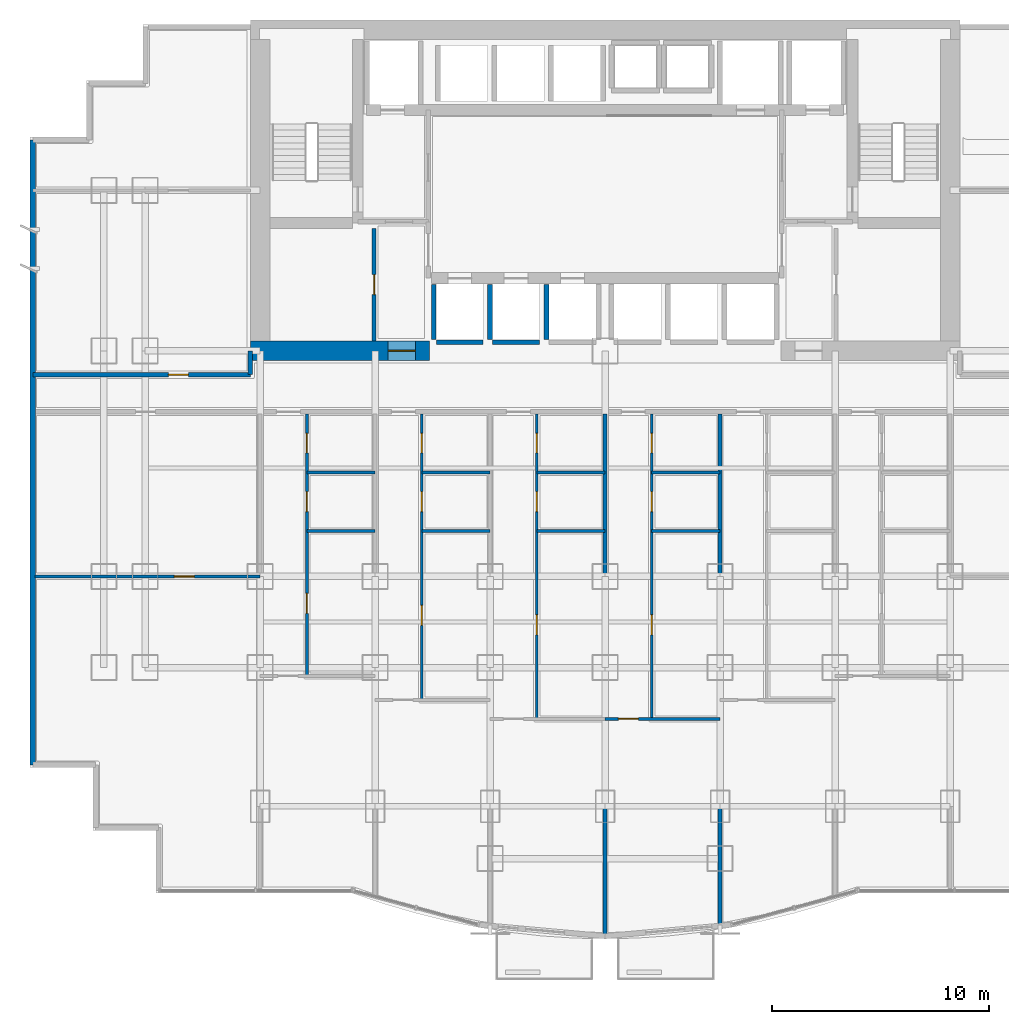
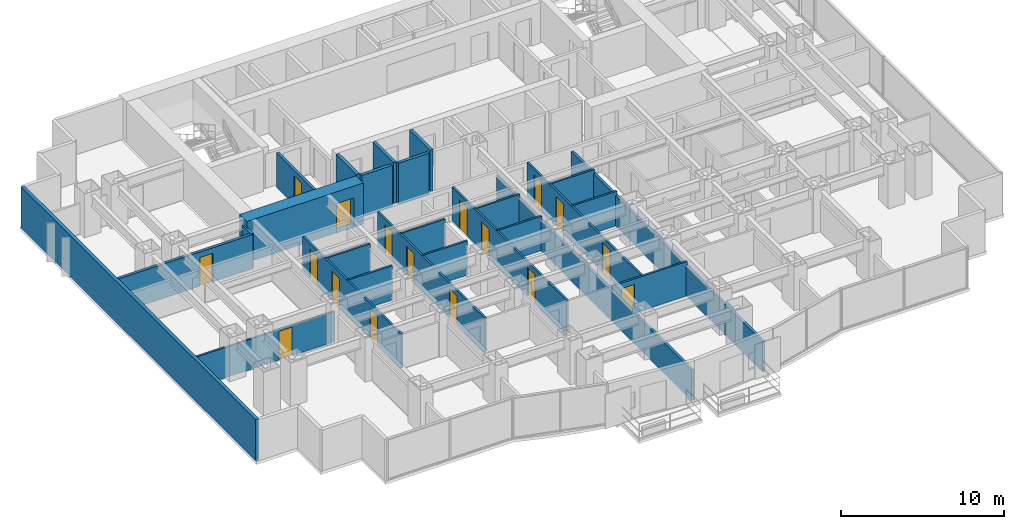
# One storey, part 7 of 12: 26 walls, 17 doors, 17 openings.
"""IFC4 building model written with IfcOpenShell, lengths in metres."""

from ifc_helpers import new_model, si_unit, direction, frame, frame_2d, origin, place, context, subcontext, project, spatial, rectangle, extrude, material, layer, layer_set, type_object, element, fill, save


model = new_model("IFC4")

# Units and contexts
model_context = context("Model", 3, precision=1e-05, world=origin(), true_north=direction((0.0, 1.0)))
body_context = subcontext(model_context, "Body", "Model", "MODEL_VIEW")
ifc_project = project(units=[si_unit("LENGTHUNIT", "METRE"), si_unit("AREAUNIT", "SQUARE_METRE"), si_unit("VOLUMEUNIT", "CUBIC_METRE"), si_unit("PLANEANGLEUNIT", "RADIAN"), si_unit("MASSUNIT", "GRAM", prefix="KILO")], contexts=[model_context])

# Site, building, storey
site_placement = place(None, origin())
site = spatial("IfcSite", under=ifc_project, at=site_placement, CompositionType="ELEMENT")
building_placement = place(site_placement, origin())
building = spatial("IfcBuilding", under=site, at=building_placement, Name="Qianlan Lanfeng Residences", CompositionType="ELEMENT")
storey_placement = place(building_placement, frame((0.0, 0.0, 27.5)))
storey = spatial("IfcBuildingStorey", under=building, at=storey_placement, Name="L06", CompositionType="ELEMENT", Elevation=27.5)

# Wall, opening, door
ifc_material_1 = material(Name="Concrete C70", Category="concrete")
ifc_layer_1 = layer(ifc_material_1, 0.89990234375)
ifc_layer_set_1 = layer_set([ifc_layer_1], Name="Concrete C70")
wall_type_1 = type_object("IfcWallType", Name="CW-RC-900", PredefinedType="SHEAR", material=ifc_layer_set_1)
wall_1_placement = place(storey_placement, frame((10.14990234375, 25.199951171875, 0.0), z_axis=(0.0, 0.0, 1.0), x_axis=(1.0, 0.0, 0.0)))
wall_1 = element("IfcWall", 1, at=wall_1_placement, inside=storey, type_object=wall_type_1, Name="L06 Core Shear Wall SW", PredefinedType="SHEAR", context=body_context, shape_type="SweptSolid", body=[
    extrude(rectangle(XDim=8.25, YDim=0.89990234375, at=frame_2d((4.125, 0.0))), origin(), (0.0, 0.0, 1.0), 3.080078125),
])
opening_1_placement = place(wall_1_placement, frame((6.35009765625, 0.0, 0.0)))
opening_1 = element("IfcOpeningElement", 2, at=opening_1_placement, cuts=wall_1, Name="Opening L06-D01", PredefinedType="OPENING", context=body_context, shape_type="SweptSolid", body=[
    extrude(rectangle(XDim=1.25, YDim=2.199951171875, at=frame_2d((0.625, 1.10009765625))), frame((0.0, 0.4599609375, 0.0), z_axis=(0.0, -1.0, 0.0), x_axis=(1.0, 0.0, 0.0)), (0.0, 0.0, 1.0), 0.919921875),
])
ifc_material_2 = material(Name="Painted Galvanised Steel Fire Door", Category="steel")
door_type_1 = type_object("IfcDoorType", Name="DT-FFL", OperationType="NOTDEFINED", PredefinedType="DOOR", material=ifc_material_2)
door_1_placement = place(opening_1_placement, frame((1.25, 0.0, 0.0), z_axis=(0.0, 0.0, 1.0), x_axis=(-1.0, 0.0, 0.0)))
door_1 = element("IfcDoor", 3, at=door_1_placement, inside=storey, type_object=door_type_1, Name="L06 West Core Lobby Smoke Door L06-D01 (DT-FFL)", OperationType="SINGLE_SWING_RIGHT", OverallHeight=2.199951171875, OverallWidth=1.25, PredefinedType="DOOR", context=body_context, shape_type="SweptSolid", body=[
    extrude(rectangle(XDim=1.25, YDim=2.199951171875, at=frame_2d((0.625, 1.10009765625))), frame((0.0, 0.02490234375, 0.0), z_axis=(0.0, -1.0, 0.0), x_axis=(1.0, 0.0, 0.0)), (0.0, 0.0, 1.0), 0.050048828125),
])
fill(opening_1, door_1)

# Wall
ifc_material_3 = material(Name="Concrete C42", Category="concrete")
ifc_layer_2 = layer(ifc_material_3, 0.239990234375)
ifc_layer_set_2 = layer_set([ifc_layer_2], Name="Concrete C42")
wall_type_2 = type_object("IfcWallType", Name="EW-240", PredefinedType="SOLIDWALL", material=ifc_layer_set_2)
wall_2_placement = place(storey_placement, frame((0.1201171875, 34.929931640625, 0.0), z_axis=(0.0, 0.0, 1.0), x_axis=(0.0, -1.0, 0.0)))
element("IfcWall", 4, at=wall_2_placement, inside=storey, type_object=wall_type_2, Name="L06 Exterior Facade Spandrel Wall 21", PredefinedType="SOLIDWALL", context=body_context, shape_type="SweptSolid", body=[
    extrude(rectangle(XDim=28.809814453125, YDim=0.239990234375, at=frame_2d((14.40478515625, 0.0))), origin(), (0.0, 0.0, 1.0), 3.080078125),
])

# Wall, openings, doors
ifc_material_4 = material(Name="Moisture-Resistant Gypsum Partition 135 mm")
ifc_layer_3 = layer(ifc_material_4, 0.135009765625)
ifc_layer_set_3 = layer_set([ifc_layer_3], Name="Moisture-Resistant Gypsum Partition 135 mm")
wall_type_3 = type_object("IfcWallType", Name="PW-135", PredefinedType="PARTITIONING", material=ifc_layer_set_3)
wall_3_placement = place(storey_placement, frame((12.75, 10.219970703125, 0.0), z_axis=(0.0, 0.0, 1.0), x_axis=(0.0, 1.0, 0.0)))
wall_3 = element("IfcWall", 5, at=wall_3_placement, inside=storey, type_object=wall_type_3, Name="L06 U01 Entry Hall Spine", PredefinedType="PARTITIONING", context=body_context, shape_type="SweptSolid", body=[
    extrude(rectangle(XDim=12.080078125, YDim=0.135009765625, at=frame_2d((6.0400390625, 0.0))), origin(), (0.0, 0.0, 1.0), 2.570068359375),
])
opening_2_placement = place(wall_3_placement, frame((2.8798828125, 0.0, 0.0)))
opening_2 = element("IfcOpeningElement", 6, at=opening_2_placement, cuts=wall_3, Name="Opening L06-D15", PredefinedType="OPENING", context=body_context, shape_type="SweptSolid", body=[
    extrude(rectangle(XDim=0.919921875, YDim=2.14990234375, at=frame_2d((0.4599609375, 1.074951171875))), frame((0.0, 0.07763671875, 0.0), z_axis=(0.0, -1.0, 0.0), x_axis=(1.0, 0.0, 0.0)), (0.0, 0.0, 1.0), 0.155029296875),
])
opening_3_placement = place(wall_3_placement, frame((7.570068359375, 0.0, 0.0)))
opening_3 = element("IfcOpeningElement", 7, at=opening_3_placement, cuts=wall_3, Name="Opening L06-D16", PredefinedType="OPENING", context=body_context, shape_type="SweptSolid", body=[
    extrude(rectangle(XDim=0.919921875, YDim=2.14990234375, at=frame_2d((0.4599609375, 1.074951171875))), frame((0.0, 0.07763671875, 0.0), z_axis=(0.0, -1.0, 0.0), x_axis=(1.0, 0.0, 0.0)), (0.0, 0.0, 1.0), 0.155029296875),
])
opening_4_placement = place(wall_3_placement, frame((10.280029296875, 0.0, 0.0)))
opening_4 = element("IfcOpeningElement", 8, at=opening_4_placement, cuts=wall_3, Name="Opening L06-D17", PredefinedType="OPENING", context=body_context, shape_type="SweptSolid", body=[
    extrude(rectangle(XDim=0.89990234375, YDim=2.14990234375, at=frame_2d((0.449951171875, 1.074951171875))), frame((0.0, 0.07763671875, 0.0), z_axis=(0.0, -1.0, 0.0), x_axis=(1.0, 0.0, 0.0)), (0.0, 0.0, 1.0), 0.155029296875),
])
ifc_material_5 = material(Name="Glazed Timber Kitchen/Study Door", Category="wood")
door_type_2 = type_object("IfcDoorType", Name="DT-INT", OperationType="NOTDEFINED", PredefinedType="DOOR", material=ifc_material_5)
door_2_placement = place(opening_2_placement, origin())
door_2 = element("IfcDoor", 9, at=door_2_placement, inside=storey, type_object=door_type_2, Name="L06 U01 Study Door L06-D15 (DT-INT)", OperationType="SINGLE_SWING_RIGHT", OverallHeight=2.14990234375, OverallWidth=0.919921875, PredefinedType="DOOR", context=body_context, shape_type="SweptSolid", body=[
    extrude(rectangle(XDim=0.919921875, YDim=2.14990234375, at=frame_2d((0.4599609375, 1.074951171875))), frame((0.0, 0.02490234375, 0.0), z_axis=(0.0, -1.0, 0.0), x_axis=(1.0, 0.0, 0.0)), (0.0, 0.0, 1.0), 0.050048828125),
])
fill(opening_2, door_2)
door_3_placement = place(opening_3_placement, origin())
door_3 = element("IfcDoor", 10, at=door_3_placement, inside=storey, type_object=door_type_2, Name="L06 U01 Kitchen Door L06-D16 (DT-INT)", OperationType="SINGLE_SWING_LEFT", OverallHeight=2.14990234375, OverallWidth=0.919921875, PredefinedType="DOOR", context=body_context, shape_type="SweptSolid", body=[
    extrude(rectangle(XDim=0.919921875, YDim=2.14990234375, at=frame_2d((0.4599609375, 1.074951171875))), frame((0.0, 0.02490234375, 0.0), z_axis=(0.0, -1.0, 0.0), x_axis=(1.0, 0.0, 0.0)), (0.0, 0.0, 1.0), 0.050048828125),
])
fill(opening_3, door_3)
ifc_material_6 = material(Name="Moisture-Resistant Timber Leaf", Category="wood")
door_type_3 = type_object("IfcDoorType", Name="DT-WC", OperationType="NOTDEFINED", PredefinedType="DOOR", material=ifc_material_6)
door_4_placement = place(opening_4_placement, origin())
door_4 = element("IfcDoor", 11, at=door_4_placement, inside=storey, type_object=door_type_3, Name="L06 U01 Bathroom Door L06-D17 (DT-WC)", OperationType="SINGLE_SWING_RIGHT", OverallHeight=2.14990234375, OverallWidth=0.89990234375, PredefinedType="DOOR", context=body_context, shape_type="SweptSolid", body=[
    extrude(rectangle(XDim=0.89990234375, YDim=2.14990234375, at=frame_2d((0.449951171875, 1.074951171875))), frame((0.0, 0.02490234375, 0.0), z_axis=(0.0, -1.0, 0.0), x_axis=(1.0, 0.0, 0.0)), (0.0, 0.0, 1.0), 0.050048828125),
])
fill(opening_4, door_4)

# Walls
for number, where, z_axis, x_axis, name in (
    (12, (12.75, 16.89990234375, 0.0), (0.0, 0.0, 1.0), (1.0, 0.0, 0.0), "L06 U01 Kitchen South Wall"),
    (13, (12.75, 19.60009765625, 0.0), (0.0, 0.0, 1.0), (1.0, 0.0, 0.0), "L06 U01 Bathroom South Wall"),
):
    element("IfcWall", number, at=place(storey_placement, frame(where, z_axis=z_axis, x_axis=x_axis)), inside=storey, type_object=wall_type_3, Name=name, PredefinedType="PARTITIONING", context=body_context, shape_type="SweptSolid", body=[
        extrude(rectangle(XDim=3.14990234375, YDim=0.135009765625, at=frame_2d((1.574951171875, 0.0))), origin(), (0.0, 0.0, 1.0), 2.570068359375),
    ])

# Wall, openings, doors
wall_4_placement = place(storey_placement, frame((18.050048828125, 9.112060546875, 0.0), z_axis=(0.0, 0.0, 1.0), x_axis=(0.0, 1.0, 0.0)))
wall_4 = element("IfcWall", 14, at=wall_4_placement, inside=storey, type_object=wall_type_3, Name="L06 U02 Entry Hall Spine", PredefinedType="PARTITIONING", context=body_context, shape_type="SweptSolid", body=[
    extrude(rectangle(XDim=13.18798828125, YDim=0.135009765625, at=frame_2d((6.593994140625, 0.0))), origin(), (0.0, 0.0, 1.0), 2.570068359375),
])
opening_5_placement = place(wall_4_placement, frame((3.43408203125, 0.0, 0.0)))
opening_5 = element("IfcOpeningElement", 15, at=opening_5_placement, cuts=wall_4, Name="Opening L06-D20", PredefinedType="OPENING", context=body_context, shape_type="SweptSolid", body=[
    extrude(rectangle(XDim=0.919921875, YDim=2.14990234375, at=frame_2d((0.4599609375, 1.074951171875))), frame((0.0, 0.07763671875, 0.0), z_axis=(0.0, -1.0, 0.0), x_axis=(1.0, 0.0, 0.0)), (0.0, 0.0, 1.0), 0.155029296875),
])
opening_6_placement = place(wall_4_placement, frame((8.677978515625, 0.0, 0.0)))
opening_6 = element("IfcOpeningElement", 16, at=opening_6_placement, cuts=wall_4, Name="Opening L06-D21", PredefinedType="OPENING", context=body_context, shape_type="SweptSolid", body=[
    extrude(rectangle(XDim=0.919921875, YDim=2.14990234375, at=frame_2d((0.4599609375, 1.074951171875))), frame((0.0, 0.07763671875, 0.0), z_axis=(0.0, -1.0, 0.0), x_axis=(1.0, 0.0, 0.0)), (0.0, 0.0, 1.0), 0.155029296875),
])
opening_7_placement = place(wall_4_placement, frame((11.387939453125, 0.0, 0.0)))
opening_7 = element("IfcOpeningElement", 17, at=opening_7_placement, cuts=wall_4, Name="Opening L06-D22", PredefinedType="OPENING", context=body_context, shape_type="SweptSolid", body=[
    extrude(rectangle(XDim=0.89990234375, YDim=2.14990234375, at=frame_2d((0.449951171875, 1.074951171875))), frame((0.0, 0.07763671875, 0.0), z_axis=(0.0, -1.0, 0.0), x_axis=(1.0, 0.0, 0.0)), (0.0, 0.0, 1.0), 0.155029296875),
])
door_5_placement = place(opening_5_placement, origin())
door_5 = element("IfcDoor", 18, at=door_5_placement, inside=storey, type_object=door_type_2, Name="L06 U02 Study Door L06-D20 (DT-INT)", OperationType="SINGLE_SWING_LEFT", OverallHeight=2.14990234375, OverallWidth=0.919921875, PredefinedType="DOOR", context=body_context, shape_type="SweptSolid", body=[
    extrude(rectangle(XDim=0.919921875, YDim=2.14990234375, at=frame_2d((0.4599609375, 1.074951171875))), frame((0.0, 0.02490234375, 0.0), z_axis=(0.0, -1.0, 0.0), x_axis=(1.0, 0.0, 0.0)), (0.0, 0.0, 1.0), 0.050048828125),
])
fill(opening_5, door_5)
door_6_placement = place(opening_6_placement, origin())
door_6 = element("IfcDoor", 19, at=door_6_placement, inside=storey, type_object=door_type_2, Name="L06 U02 Kitchen Door L06-D21 (DT-INT)", OperationType="SINGLE_SWING_RIGHT", OverallHeight=2.14990234375, OverallWidth=0.919921875, PredefinedType="DOOR", context=body_context, shape_type="SweptSolid", body=[
    extrude(rectangle(XDim=0.919921875, YDim=2.14990234375, at=frame_2d((0.4599609375, 1.074951171875))), frame((0.0, 0.02490234375, 0.0), z_axis=(0.0, -1.0, 0.0), x_axis=(1.0, 0.0, 0.0)), (0.0, 0.0, 1.0), 0.050048828125),
])
fill(opening_6, door_6)
door_7_placement = place(opening_7_placement, origin())
door_7 = element("IfcDoor", 20, at=door_7_placement, inside=storey, type_object=door_type_3, Name="L06 U02 Bathroom Door L06-D22 (DT-WC)", OperationType="SINGLE_SWING_LEFT", OverallHeight=2.14990234375, OverallWidth=0.89990234375, PredefinedType="DOOR", context=body_context, shape_type="SweptSolid", body=[
    extrude(rectangle(XDim=0.89990234375, YDim=2.14990234375, at=frame_2d((0.449951171875, 1.074951171875))), frame((0.0, 0.02490234375, 0.0), z_axis=(0.0, -1.0, 0.0), x_axis=(1.0, 0.0, 0.0)), (0.0, 0.0, 1.0), 0.050048828125),
])
fill(opening_7, door_7)

# Walls
for number, where, z_axis, x_axis, name in (
    (21, (18.050048828125, 16.89990234375, 0.0), (0.0, 0.0, 1.0), (1.0, 0.0, 0.0), "L06 U02 Kitchen South Wall"),
    (22, (18.050048828125, 19.60009765625, 0.0), (0.0, 0.0, 1.0), (1.0, 0.0, 0.0), "L06 U02 Bathroom South Wall"),
):
    element("IfcWall", number, at=place(storey_placement, frame(where, z_axis=z_axis, x_axis=x_axis)), inside=storey, type_object=wall_type_3, Name=name, PredefinedType="PARTITIONING", context=body_context, shape_type="SweptSolid", body=[
        extrude(rectangle(XDim=3.14990234375, YDim=0.135009765625, at=frame_2d((1.574951171875, 0.0))), origin(), (0.0, 0.0, 1.0), 2.570068359375),
    ])

# Wall, openings, doors
wall_5_placement = place(storey_placement, frame((23.35009765625, 8.23388671875, 0.0), z_axis=(0.0, 0.0, 1.0), x_axis=(0.0, 1.0, 0.0)))
wall_5 = element("IfcWall", 23, at=wall_5_placement, inside=storey, type_object=wall_type_3, Name="L06 U03 Entry Hall Spine", PredefinedType="PARTITIONING", context=body_context, shape_type="SweptSolid", body=[
    extrude(rectangle(XDim=14.066162109375, YDim=0.135009765625, at=frame_2d((7.033203125, 0.0))), origin(), (0.0, 0.0, 1.0), 2.570068359375),
])
opening_8_placement = place(wall_5_placement, frame((3.873046875, 0.0, 0.0)))
opening_8 = element("IfcOpeningElement", 24, at=opening_8_placement, cuts=wall_5, Name="Opening L06-D25", PredefinedType="OPENING", context=body_context, shape_type="SweptSolid", body=[
    extrude(rectangle(XDim=0.919921875, YDim=2.14990234375, at=frame_2d((0.4599609375, 1.074951171875))), frame((0.0, 0.07763671875, 0.0), z_axis=(0.0, -1.0, 0.0), x_axis=(1.0, 0.0, 0.0)), (0.0, 0.0, 1.0), 0.155029296875),
])
opening_9_placement = place(wall_5_placement, frame((9.555908203125, 0.0, 0.0)))
opening_9 = element("IfcOpeningElement", 25, at=opening_9_placement, cuts=wall_5, Name="Opening L06-D26", PredefinedType="OPENING", context=body_context, shape_type="SweptSolid", body=[
    extrude(rectangle(XDim=0.919921875, YDim=2.14990234375, at=frame_2d((0.4599609375, 1.074951171875))), frame((0.0, 0.07763671875, 0.0), z_axis=(0.0, -1.0, 0.0), x_axis=(1.0, 0.0, 0.0)), (0.0, 0.0, 1.0), 0.155029296875),
])
opening_10_placement = place(wall_5_placement, frame((12.26611328125, 0.0, 0.0)))
opening_10 = element("IfcOpeningElement", 26, at=opening_10_placement, cuts=wall_5, Name="Opening L06-D27", PredefinedType="OPENING", context=body_context, shape_type="SweptSolid", body=[
    extrude(rectangle(XDim=0.89990234375, YDim=2.14990234375, at=frame_2d((0.449951171875, 1.074951171875))), frame((0.0, 0.07763671875, 0.0), z_axis=(0.0, -1.0, 0.0), x_axis=(1.0, 0.0, 0.0)), (0.0, 0.0, 1.0), 0.155029296875),
])
door_8_placement = place(opening_8_placement, origin())
door_8 = element("IfcDoor", 27, at=door_8_placement, inside=storey, type_object=door_type_2, Name="L06 U03 Study Door L06-D25 (DT-INT)", OperationType="SINGLE_SWING_RIGHT", OverallHeight=2.14990234375, OverallWidth=0.919921875, PredefinedType="DOOR", context=body_context, shape_type="SweptSolid", body=[
    extrude(rectangle(XDim=0.919921875, YDim=2.14990234375, at=frame_2d((0.4599609375, 1.074951171875))), frame((0.0, 0.02490234375, 0.0), z_axis=(0.0, -1.0, 0.0), x_axis=(1.0, 0.0, 0.0)), (0.0, 0.0, 1.0), 0.050048828125),
])
fill(opening_8, door_8)
door_9_placement = place(opening_9_placement, origin())
door_9 = element("IfcDoor", 28, at=door_9_placement, inside=storey, type_object=door_type_2, Name="L06 U03 Kitchen Door L06-D26 (DT-INT)", OperationType="SINGLE_SWING_LEFT", OverallHeight=2.14990234375, OverallWidth=0.919921875, PredefinedType="DOOR", context=body_context, shape_type="SweptSolid", body=[
    extrude(rectangle(XDim=0.919921875, YDim=2.14990234375, at=frame_2d((0.4599609375, 1.074951171875))), frame((0.0, 0.02490234375, 0.0), z_axis=(0.0, -1.0, 0.0), x_axis=(1.0, 0.0, 0.0)), (0.0, 0.0, 1.0), 0.050048828125),
])
fill(opening_9, door_9)
door_10_placement = place(opening_10_placement, origin())
door_10 = element("IfcDoor", 29, at=door_10_placement, inside=storey, type_object=door_type_3, Name="L06 U03 Bathroom Door L06-D27 (DT-WC)", OperationType="SINGLE_SWING_RIGHT", OverallHeight=2.14990234375, OverallWidth=0.89990234375, PredefinedType="DOOR", context=body_context, shape_type="SweptSolid", body=[
    extrude(rectangle(XDim=0.89990234375, YDim=2.14990234375, at=frame_2d((0.449951171875, 1.074951171875))), frame((0.0, 0.02490234375, 0.0), z_axis=(0.0, -1.0, 0.0), x_axis=(1.0, 0.0, 0.0)), (0.0, 0.0, 1.0), 0.050048828125),
])
fill(opening_10, door_10)

# Walls
for number, where, z_axis, x_axis, name in (
    (30, (23.35009765625, 16.89990234375, 0.0), (0.0, 0.0, 1.0), (1.0, 0.0, 0.0), "L06 U03 Kitchen South Wall"),
    (31, (23.35009765625, 19.60009765625, 0.0), (0.0, 0.0, 1.0), (1.0, 0.0, 0.0), "L06 U03 Bathroom South Wall"),
):
    element("IfcWall", number, at=place(storey_placement, frame(where, z_axis=z_axis, x_axis=x_axis)), inside=storey, type_object=wall_type_3, Name=name, PredefinedType="PARTITIONING", context=body_context, shape_type="SweptSolid", body=[
        extrude(rectangle(XDim=3.14990234375, YDim=0.135009765625, at=frame_2d((1.574951171875, 0.0))), origin(), (0.0, 0.0, 1.0), 2.570068359375),
    ])

# Wall, opening, door
wall_6_placement = place(storey_placement, frame((26.5, 8.23388671875, 0.0), z_axis=(0.0, 0.0, 1.0), x_axis=(1.0, 0.0, 0.0)))
wall_6 = element("IfcWall", 32, at=wall_6_placement, inside=storey, type_object=wall_type_3, Name="L06 U04 Living Divider", PredefinedType="PARTITIONING", context=body_context, shape_type="SweptSolid", body=[
    extrude(rectangle(XDim=5.300048828125, YDim=0.135009765625, at=frame_2d((2.64990234375, 0.0))), origin(), (0.0, 0.0, 1.0), 2.570068359375),
])
opening_11_placement = place(wall_6_placement, frame((0.614990234375, 0.0, 0.0)))
opening_11 = element("IfcOpeningElement", 33, at=opening_11_placement, cuts=wall_6, Name="Opening L06-D29", PredefinedType="OPENING", context=body_context, shape_type="SweptSolid", body=[
    extrude(rectangle(XDim=0.919921875, YDim=2.14990234375, at=frame_2d((0.4599609375, 1.074951171875))), frame((0.0, 0.07763671875, 0.0), z_axis=(0.0, -1.0, 0.0), x_axis=(1.0, 0.0, 0.0)), (0.0, 0.0, 1.0), 0.155029296875),
])
door_11_placement = place(opening_11_placement, frame((0.919921875, 0.0, 0.0), z_axis=(0.0, 0.0, 1.0), x_axis=(-1.0, 0.0, 0.0)))
door_11 = element("IfcDoor", 34, at=door_11_placement, inside=storey, type_object=door_type_2, Name="L06 U04 Living Passage Door L06-D29 (DT-INT)", OperationType="SINGLE_SWING_RIGHT", OverallHeight=2.14990234375, OverallWidth=0.919921875, PredefinedType="DOOR", context=body_context, shape_type="SweptSolid", body=[
    extrude(rectangle(XDim=0.919921875, YDim=2.14990234375, at=frame_2d((0.4599609375, 1.074951171875))), frame((0.0, 0.02490234375, 0.0), z_axis=(0.0, -1.0, 0.0), x_axis=(1.0, 0.0, 0.0)), (0.0, 0.0, 1.0), 0.050048828125),
])
fill(opening_11, door_11)

# Wall, openings, doors
wall_7_placement = place(storey_placement, frame((28.64990234375, 8.23388671875, 0.0), z_axis=(0.0, 0.0, 1.0), x_axis=(0.0, 1.0, 0.0)))
wall_7 = element("IfcWall", 35, at=wall_7_placement, inside=storey, type_object=wall_type_3, Name="L06 U04 Entry Hall Spine", PredefinedType="PARTITIONING", context=body_context, shape_type="SweptSolid", body=[
    extrude(rectangle(XDim=14.066162109375, YDim=0.135009765625, at=frame_2d((7.033203125, 0.0))), origin(), (0.0, 0.0, 1.0), 2.570068359375),
])
opening_12_placement = place(wall_7_placement, frame((3.873046875, 0.0, 0.0)))
opening_12 = element("IfcOpeningElement", 36, at=opening_12_placement, cuts=wall_7, Name="Opening L06-D30", PredefinedType="OPENING", context=body_context, shape_type="SweptSolid", body=[
    extrude(rectangle(XDim=0.919921875, YDim=2.14990234375, at=frame_2d((0.4599609375, 1.074951171875))), frame((0.0, 0.07763671875, 0.0), z_axis=(0.0, -1.0, 0.0), x_axis=(1.0, 0.0, 0.0)), (0.0, 0.0, 1.0), 0.155029296875),
])
opening_13_placement = place(wall_7_placement, frame((9.555908203125, 0.0, 0.0)))
opening_13 = element("IfcOpeningElement", 37, at=opening_13_placement, cuts=wall_7, Name="Opening L06-D31", PredefinedType="OPENING", context=body_context, shape_type="SweptSolid", body=[
    extrude(rectangle(XDim=0.919921875, YDim=2.14990234375, at=frame_2d((0.4599609375, 1.074951171875))), frame((0.0, 0.07763671875, 0.0), z_axis=(0.0, -1.0, 0.0), x_axis=(1.0, 0.0, 0.0)), (0.0, 0.0, 1.0), 0.155029296875),
])
opening_14_placement = place(wall_7_placement, frame((12.26611328125, 0.0, 0.0)))
opening_14 = element("IfcOpeningElement", 38, at=opening_14_placement, cuts=wall_7, Name="Opening L06-D32", PredefinedType="OPENING", context=body_context, shape_type="SweptSolid", body=[
    extrude(rectangle(XDim=0.89990234375, YDim=2.14990234375, at=frame_2d((0.449951171875, 1.074951171875))), frame((0.0, 0.07763671875, 0.0), z_axis=(0.0, -1.0, 0.0), x_axis=(1.0, 0.0, 0.0)), (0.0, 0.0, 1.0), 0.155029296875),
])
door_12_placement = place(opening_12_placement, origin())
door_12 = element("IfcDoor", 39, at=door_12_placement, inside=storey, type_object=door_type_2, Name="L06 U04 Study Door L06-D30 (DT-INT)", OperationType="SINGLE_SWING_LEFT", OverallHeight=2.14990234375, OverallWidth=0.919921875, PredefinedType="DOOR", context=body_context, shape_type="SweptSolid", body=[
    extrude(rectangle(XDim=0.919921875, YDim=2.14990234375, at=frame_2d((0.4599609375, 1.074951171875))), frame((0.0, 0.02490234375, 0.0), z_axis=(0.0, -1.0, 0.0), x_axis=(1.0, 0.0, 0.0)), (0.0, 0.0, 1.0), 0.050048828125),
])
fill(opening_12, door_12)
door_13_placement = place(opening_13_placement, origin())
door_13 = element("IfcDoor", 40, at=door_13_placement, inside=storey, type_object=door_type_2, Name="L06 U04 Kitchen Door L06-D31 (DT-INT)", OperationType="SINGLE_SWING_RIGHT", OverallHeight=2.14990234375, OverallWidth=0.919921875, PredefinedType="DOOR", context=body_context, shape_type="SweptSolid", body=[
    extrude(rectangle(XDim=0.919921875, YDim=2.14990234375, at=frame_2d((0.4599609375, 1.074951171875))), frame((0.0, 0.02490234375, 0.0), z_axis=(0.0, -1.0, 0.0), x_axis=(1.0, 0.0, 0.0)), (0.0, 0.0, 1.0), 0.050048828125),
])
fill(opening_13, door_13)
door_14_placement = place(opening_14_placement, origin())
door_14 = element("IfcDoor", 41, at=door_14_placement, inside=storey, type_object=door_type_3, Name="L06 U04 Bathroom Door L06-D32 (DT-WC)", OperationType="SINGLE_SWING_LEFT", OverallHeight=2.14990234375, OverallWidth=0.89990234375, PredefinedType="DOOR", context=body_context, shape_type="SweptSolid", body=[
    extrude(rectangle(XDim=0.89990234375, YDim=2.14990234375, at=frame_2d((0.449951171875, 1.074951171875))), frame((0.0, 0.02490234375, 0.0), z_axis=(0.0, -1.0, 0.0), x_axis=(1.0, 0.0, 0.0)), (0.0, 0.0, 1.0), 0.050048828125),
])
fill(opening_14, door_14)

# Walls
for number, where, z_axis, x_axis, name in (
    (42, (28.64990234375, 16.89990234375, 0.0), (0.0, 0.0, 1.0), (1.0, 0.0, 0.0), "L06 U04 Kitchen South Wall"),
    (43, (28.64990234375, 19.60009765625, 0.0), (0.0, 0.0, 1.0), (1.0, 0.0, 0.0), "L06 U04 Bathroom South Wall"),
):
    element("IfcWall", number, at=place(storey_placement, frame(where, z_axis=z_axis, x_axis=x_axis)), inside=storey, type_object=wall_type_3, Name=name, PredefinedType="PARTITIONING", context=body_context, shape_type="SweptSolid", body=[
        extrude(rectangle(XDim=3.150146484375, YDim=0.135009765625, at=frame_2d((1.5751953125, 0.0))), origin(), (0.0, 0.0, 1.0), 2.570068359375),
    ])

# Wall, opening, door
wall_8_placement = place(storey_placement, frame((0.219970703125, 14.800048828125, 0.0), z_axis=(0.0, 0.0, 1.0), x_axis=(1.0, 0.0, 0.0)))
wall_8 = element("IfcWall", 44, at=wall_8_placement, inside=storey, type_object=wall_type_3, Name="L06 SWP Mid Partition", PredefinedType="PARTITIONING", context=body_context, shape_type="SweptSolid", body=[
    extrude(rectangle(XDim=10.380126953125, YDim=0.135009765625, at=frame_2d((5.18994140625, 0.0))), origin(), (0.0, 0.0, 1.0), 2.27490234375),
])
opening_15_placement = place(wall_8_placement, frame((6.429931640625, 0.0, 0.0)))
opening_15 = element("IfcOpeningElement", 45, at=opening_15_placement, cuts=wall_8, Name="Opening L06-D43", PredefinedType="OPENING", context=body_context, shape_type="SweptSolid", body=[
    extrude(rectangle(XDim=0.919921875, YDim=2.14990234375, at=frame_2d((0.4599609375, 1.074951171875))), frame((0.0, 0.07763671875, 0.0), z_axis=(0.0, -1.0, 0.0), x_axis=(1.0, 0.0, 0.0)), (0.0, 0.0, 1.0), 0.155029296875),
])
door_15_placement = place(opening_15_placement, origin())
door_15 = element("IfcDoor", 46, at=door_15_placement, inside=storey, type_object=door_type_2, Name="L06 SWP Inner Door L06-D43 (DT-INT)", OperationType="SINGLE_SWING_RIGHT", OverallHeight=2.14990234375, OverallWidth=0.919921875, PredefinedType="DOOR", context=body_context, shape_type="SweptSolid", body=[
    extrude(rectangle(XDim=0.919921875, YDim=2.14990234375, at=frame_2d((0.4599609375, 1.074951171875))), frame((0.0, 0.02490234375, 0.0), z_axis=(0.0, -1.0, 0.0), x_axis=(1.0, 0.0, 0.0)), (0.0, 0.0, 1.0), 0.050048828125),
])
fill(opening_15, door_15)

ifc_material_7 = material(Name="Double-Layer Acoustic Gypsum Stud Wall 180 mm")
ifc_layer_4 = layer(ifc_material_7, 0.179931640625)
ifc_layer_set_4 = layer_set([ifc_layer_4], Name="Double-Layer Acoustic Gypsum Stud Wall 180 mm")
wall_type_4 = type_object("IfcWallType", Name="PW-180", PredefinedType="PARTITIONING", material=ifc_layer_set_4)
wall_9_placement = place(storey_placement, frame((15.85009765625, 25.64990234375, 0.0), z_axis=(0.0, 0.0, 1.0), x_axis=(0.0, 1.0, 0.0)))
wall_9 = element("IfcWall", 47, at=wall_9_placement, inside=storey, type_object=wall_type_4, Name="L06 Core West Service Room Wall", PredefinedType="PARTITIONING", context=body_context, shape_type="SweptSolid", body=[
    extrude(rectangle(XDim=5.2001953125, YDim=0.179931640625, at=frame_2d((2.60009765625, 0.0))), origin(), (0.0, 0.0, 1.0), 2.570068359375),
])
opening_16_placement = place(wall_9_placement, frame((2.139892578125, 0.0, 0.0)))
opening_16 = element("IfcOpeningElement", 48, at=opening_16_placement, cuts=wall_9, Name="Opening L06-D09", PredefinedType="OPENING", context=body_context, shape_type="SweptSolid", body=[
    extrude(rectangle(XDim=0.919921875, YDim=2.14990234375, at=frame_2d((0.4599609375, 1.074951171875))), frame((0.0, 0.10009765625, 0.0), z_axis=(0.0, -1.0, 0.0), x_axis=(1.0, 0.0, 0.0)), (0.0, 0.0, 1.0), 0.199951171875),
])
door_16_placement = place(opening_16_placement, origin())
door_16 = element("IfcDoor", 49, at=door_16_placement, inside=storey, type_object=door_type_2, Name="L06 Core Storage Door L06-D09 (DT-INT)", OperationType="SINGLE_SWING_RIGHT", OverallHeight=2.14990234375, OverallWidth=0.919921875, PredefinedType="DOOR", context=body_context, shape_type="SweptSolid", body=[
    extrude(rectangle(XDim=0.919921875, YDim=2.14990234375, at=frame_2d((0.4599609375, 1.074951171875))), frame((0.0, 0.02490234375, 0.0), z_axis=(0.0, -1.0, 0.0), x_axis=(1.0, 0.0, 0.0)), (0.0, 0.0, 1.0), 0.050048828125),
])
fill(opening_16, door_16)

# Walls
wall_10_placement = place(storey_placement, frame((26.5, -1.679931640625, 0.0), z_axis=(0.0, 0.0, 1.0), x_axis=(0.0, 1.0, 0.0)))
element("IfcWall", 50, at=wall_10_placement, inside=storey, type_object=wall_type_4, Name="L06 Inter-Tenancy Party Wall 4", PredefinedType="PARTITIONING", context=body_context, shape_type="SweptSolid", body=[
    extrude(rectangle(XDim=23.97998046875, YDim=0.179931640625, at=frame_2d((11.989990234375, 0.0))), origin(), (0.0, 0.0, 1.0), 2.27490234375),
])
wall_11_placement = place(storey_placement, frame((31.800048828125, -1.235107421875, 0.0), z_axis=(0.0, 0.0, 1.0), x_axis=(0.0, 1.0, 0.0)))
element("IfcWall", 51, at=wall_11_placement, inside=storey, type_object=wall_type_4, Name="L06 Inter-Tenancy Party Wall 5", PredefinedType="PARTITIONING", context=body_context, shape_type="SweptSolid", body=[
    extrude(rectangle(XDim=23.53515625, YDim=0.179931640625, at=frame_2d((11.767578125, 0.0))), origin(), (0.0, 0.0, 1.0), 2.27490234375),
])

# Wall, opening, door
ifc_material_8 = material(Name="Autoclaved Aerated Concrete Blockwork 200 mm", Category="masonry")
ifc_layer_5 = layer(ifc_material_8, 0.199951171875)
ifc_layer_set_5 = layer_set([ifc_layer_5], Name="Autoclaved Aerated Concrete Blockwork 200 mm")
wall_type_5 = type_object("IfcWallType", Name="PW-200", PredefinedType="PARTITIONING", material=ifc_layer_set_5)
wall_12_placement = place(storey_placement, frame((0.1201171875, 24.10009765625, 0.0), z_axis=(0.0, 0.0, 1.0), x_axis=(1.0, 0.0, 0.0)))
wall_12 = element("IfcWall", 52, at=wall_12_placement, inside=storey, type_object=wall_type_5, Name="L06 Corridor NW Wall", PredefinedType="PARTITIONING", context=body_context, shape_type="SweptSolid", body=[
    extrude(rectangle(XDim=10.02978515625, YDim=0.199951171875, at=frame_2d((5.014892578125, 0.0))), origin(), (0.0, 0.0, 1.0), 2.570068359375),
])
opening_17_placement = place(wall_12_placement, frame((6.2548828125, 0.0, 0.0)))
opening_17 = element("IfcOpeningElement", 53, at=opening_17_placement, cuts=wall_12, Name="Opening L06-D48", PredefinedType="OPENING", context=body_context, shape_type="SweptSolid", body=[
    extrude(rectangle(XDim=0.919921875, YDim=2.14990234375, at=frame_2d((0.4599609375, 1.074951171875))), frame((0.0, 0.10986328125, 0.0), z_axis=(0.0, -1.0, 0.0), x_axis=(1.0, 0.0, 0.0)), (0.0, 0.0, 1.0), 0.219970703125),
])
door_17_placement = place(opening_17_placement, origin())
door_17 = element("IfcDoor", 54, at=door_17_placement, inside=storey, type_object=door_type_2, Name="L06 WW Amenity Salon Door L06-D48 (DT-INT)", OperationType="SINGLE_SWING_RIGHT", OverallHeight=2.14990234375, OverallWidth=0.919921875, PredefinedType="DOOR", context=body_context, shape_type="SweptSolid", body=[
    extrude(rectangle(XDim=0.919921875, YDim=2.14990234375, at=frame_2d((0.4599609375, 1.074951171875))), frame((0.0, 0.02490234375, 0.0), z_axis=(0.0, -1.0, 0.0), x_axis=(1.0, 0.0, 0.0)), (0.0, 0.0, 1.0), 0.050048828125),
])
fill(opening_17, door_17)

# Walls
wall_13_placement = place(storey_placement, frame((10.14990234375, 24.10009765625, 0.0), z_axis=(0.0, 0.0, 1.0), x_axis=(0.0, 1.0, 0.0)))
element("IfcWall", 55, at=wall_13_placement, inside=storey, type_object=wall_type_5, Name="L06 NW Wing Core Return Wall", PredefinedType="PARTITIONING", context=body_context, shape_type="SweptSolid", body=[
    extrude(rectangle(XDim=1.099853515625, YDim=0.199951171875, at=frame_2d((0.5498046875, 0.0))), origin(), (0.0, 0.0, 1.0), 2.570068359375),
])
ifc_material_9 = material(Name="Concrete C49", Category="concrete")
ifc_layer_6 = layer(ifc_material_9, 0.219970703125)
ifc_layer_set_6 = layer_set([ifc_layer_6], Name="Concrete C49")
wall_type_6 = type_object("IfcWallType", Name="SHW-220", PredefinedType="SOLIDWALL", material=ifc_layer_set_6)
wall_14_placement = place(storey_placement, frame((18.60009765625, 25.719970703125, 0.0), z_axis=(0.0, 0.0, 1.0), x_axis=(0.0, 1.0, 0.0)))
element("IfcWall", 56, at=wall_14_placement, inside=storey, type_object=wall_type_6, Name="L06 Lift PL-L1 Shaft Wall W", PredefinedType="SOLIDWALL", context=body_context, shape_type="SweptSolid", body=[
    extrude(rectangle(XDim=2.530029296875, YDim=0.219970703125, at=frame_2d((1.26513671875, 0.0))), origin(), (0.0, 0.0, 1.0), 3.080078125),
])
wall_15_placement = place(storey_placement, frame((18.719970703125, 25.60009765625, 0.0), z_axis=(0.0, 0.0, 1.0), x_axis=(1.0, 0.0, 0.0)))
element("IfcWall", 57, at=wall_15_placement, inside=storey, type_object=wall_type_6, Name="L06 Lift PL-L1 Shaft Back Wall S", PredefinedType="SOLIDWALL", context=body_context, shape_type="SweptSolid", body=[
    extrude(rectangle(XDim=2.159912109375, YDim=0.219970703125, at=frame_2d((1.080078125, 0.0))), origin(), (0.0, 0.0, 1.0), 3.080078125),
])
wall_16_placement = place(storey_placement, frame((21.199951171875, 25.719970703125, 0.0), z_axis=(0.0, 0.0, 1.0), x_axis=(0.0, 1.0, 0.0)))
element("IfcWall", 58, at=wall_16_placement, inside=storey, type_object=wall_type_6, Name="L06 Lift PL-L2 Shaft Wall W", PredefinedType="SOLIDWALL", context=body_context, shape_type="SweptSolid", body=[
    extrude(rectangle(XDim=2.530029296875, YDim=0.219970703125, at=frame_2d((1.26513671875, 0.0))), origin(), (0.0, 0.0, 1.0), 3.080078125),
])
wall_17_placement = place(storey_placement, frame((21.320068359375, 25.60009765625, 0.0), z_axis=(0.0, 0.0, 1.0), x_axis=(1.0, 0.0, 0.0)))
element("IfcWall", 59, at=wall_17_placement, inside=storey, type_object=wall_type_6, Name="L06 Lift PL-L2 Shaft Back Wall S", PredefinedType="SOLIDWALL", context=body_context, shape_type="SweptSolid", body=[
    extrude(rectangle(XDim=2.159912109375, YDim=0.219970703125, at=frame_2d((1.080078125, 0.0))), origin(), (0.0, 0.0, 1.0), 3.080078125),
])
wall_18_placement = place(storey_placement, frame((23.800048828125, 25.719970703125, 0.0), z_axis=(0.0, 0.0, 1.0), x_axis=(0.0, 1.0, 0.0)))
element("IfcWall", 60, at=wall_18_placement, inside=storey, type_object=wall_type_6, Name="L06 Lift PL-L3 Shaft Wall W", PredefinedType="SOLIDWALL", context=body_context, shape_type="SweptSolid", body=[
    extrude(rectangle(XDim=2.530029296875, YDim=0.219970703125, at=frame_2d((1.26513671875, 0.0))), origin(), (0.0, 0.0, 1.0), 3.080078125),
])

save(model, "model.ifc")
